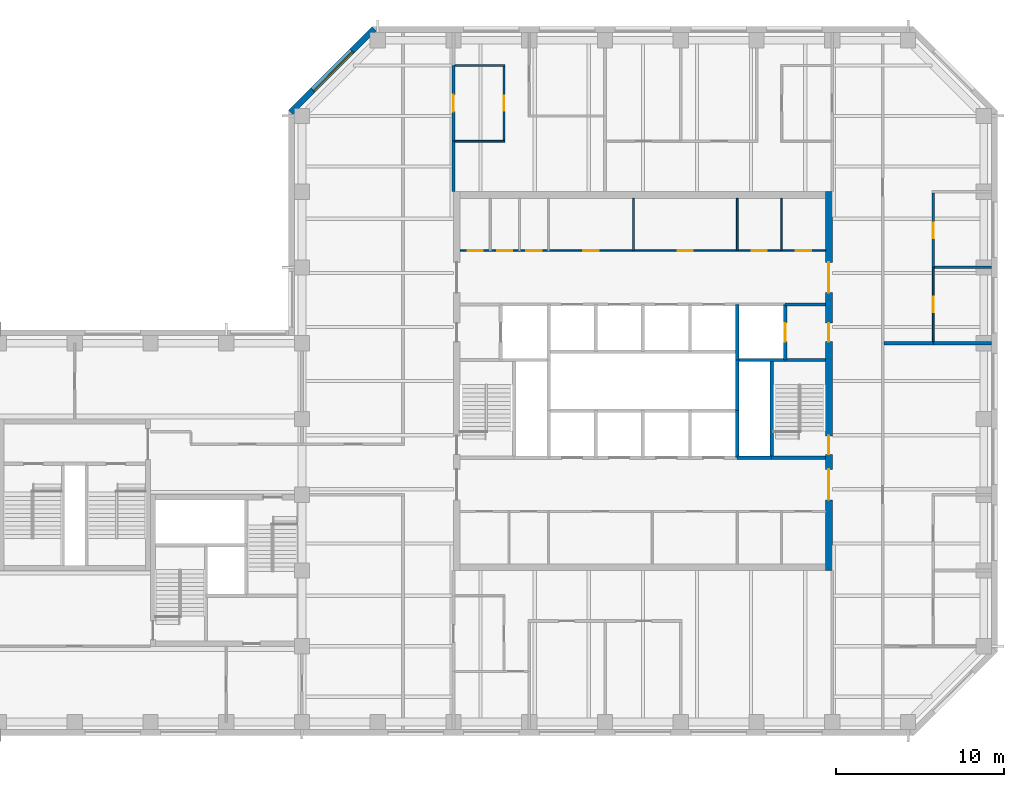
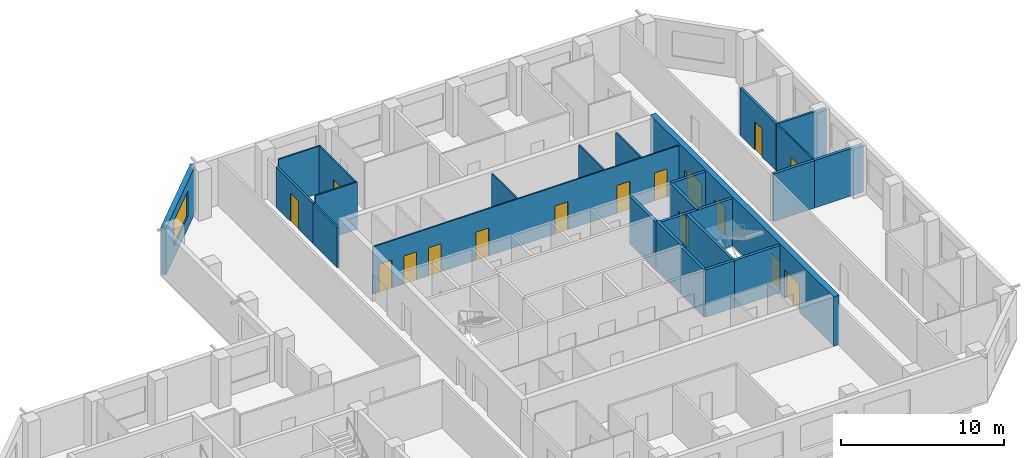
# One storey, part 6 of 9: 25 walls, 16 doors, 1 window, 17 openings.
"""IFC4 building model written with IfcOpenShell, lengths in metres."""

from ifc_helpers import new_model, si_unit, direction, frame, frame_2d, origin, place, context, subcontext, project, spatial, rectangle, extrude, material, layer, layer_set, constituent, constituent_set, type_object, element, fill, save


model = new_model("IFC4")

# Units and contexts
model_context = context("Model", 3, precision=1e-05, world=origin(), true_north=direction((0.0, 1.0)))
body_context = subcontext(model_context, "Body", "Model", "MODEL_VIEW")
ifc_project = project(units=[si_unit("LENGTHUNIT", "METRE"), si_unit("AREAUNIT", "SQUARE_METRE"), si_unit("VOLUMEUNIT", "CUBIC_METRE"), si_unit("PLANEANGLEUNIT", "RADIAN"), si_unit("MASSUNIT", "GRAM", prefix="KILO")], contexts=[model_context])

# Site, building, storey
site_placement = place(None, origin())
site = spatial("IfcSite", under=ifc_project, at=site_placement, CompositionType="ELEMENT")
building_placement = place(site_placement, origin())
building = spatial("IfcBuilding", under=site, at=building_placement, Name="Quoin Convention Tower", CompositionType="ELEMENT")
storey_placement = place(building_placement, frame((0.0, 0.0, 245.199951171875)))
storey = spatial("IfcBuildingStorey", under=building, at=storey_placement, Name="L64", CompositionType="ELEMENT", Elevation=245.199951171875)

# Wall
ifc_material_1 = material(Name="Plasterboard")
ifc_layer_1 = layer(ifc_material_1, 0.012451171875, Name="Finish")
ifc_material_2 = material(Name="Steel stud framing", Category="steel")
ifc_layer_2 = layer(ifc_material_2, 0.125, Name="Structure")
ifc_layer_3 = layer(ifc_material_1, 0.012451171875, Name="Finish")
ifc_layer_set_1 = layer_set([ifc_layer_1, ifc_layer_2, ifc_layer_3], Name="Steel stud framing")
wall_type_1 = type_object("IfcWallType", Name="Acoustic partition 150", PredefinedType="PARTITIONING", material=ifc_layer_set_1)
wall_1_placement = place(storey_placement, frame((73.574951171875, 67.5, 0.0), z_axis=(0.0, 0.0, 1.0), x_axis=(1.0, 0.0, 0.0)))
element("IfcWall", 1, at=wall_1_placement, inside=storey, type_object=wall_type_1, Name="pw-L64-023", PredefinedType="PARTITIONING", context=body_context, shape_type="SweptSolid", body=[
    extrude(rectangle(XDim=3.375, YDim=0.14990234375, at=frame_2d((1.6875, 0.0))), origin(), (0.0, 0.0, 1.0), 3.550048828125),
])

# Wall, opening, door
wall_2_placement = place(storey_placement, frame((73.5, 67.5, 0.0), z_axis=(0.0, 0.0, 1.0), x_axis=(0.0, 1.0, 0.0)))
wall_2 = element("IfcWall", 2, at=wall_2_placement, inside=storey, type_object=wall_type_1, Name="pw-L64-064", PredefinedType="PARTITIONING", context=body_context, shape_type="SweptSolid", body=[
    extrude(rectangle(XDim=4.425048828125, YDim=0.14990234375, at=frame_2d((2.21240234375, 0.0))), origin(), (0.0, 0.0, 1.0), 3.550048828125),
])
opening_1_placement = place(wall_2_placement, frame((1.75, 0.0, 0.0)))
opening_1 = element("IfcOpeningElement", 3, at=opening_1_placement, cuts=wall_2, Name="Opening DOH12-17", PredefinedType="OPENING", context=body_context, shape_type="SweptSolid", body=[
    extrude(rectangle(XDim=0.89990234375, YDim=2.10009765625, at=frame_2d((0.449951171875, 1.050048828125))), frame((0.0, 0.0849609375, 0.0), z_axis=(0.0, -1.0, 0.0), x_axis=(1.0, 0.0, 0.0)), (0.0, 0.0, 1.0), 0.169921875),
])
ifc_material_3 = material(Name="Steel door leaf", Category="steel")
door_type_1 = type_object("IfcDoorType", Name="Office door 900 x 2100", OperationType="SINGLE_SWING_RIGHT", PredefinedType="DOOR", material=ifc_material_3)
door_1_placement = place(opening_1_placement, origin())
door_1 = element("IfcDoor", 4, at=door_1_placement, inside=storey, type_object=door_type_1, Name="dr-L64-29", OperationType="SINGLE_SWING_RIGHT", OverallHeight=2.10009765625, OverallWidth=0.89990234375, PredefinedType="DOOR", context=body_context, shape_type="SweptSolid", body=[
    extrude(rectangle(XDim=0.89990234375, YDim=2.10009765625, at=frame_2d((0.449951171875, 1.050048828125))), frame((0.0, 0.02490234375, 0.0), z_axis=(0.0, -1.0, 0.0), x_axis=(1.0, 0.0, 0.0)), (0.0, 0.0, 1.0), 0.050048828125),
])
fill(opening_1, door_1)

# Wall, opening, window
ifc_material_4 = material(Name="Brick masonry", Category="masonry")
ifc_layer_4 = layer(ifc_material_4, 0.35009765625)
ifc_layer_set_2 = layer_set([ifc_layer_4], Name="Brick masonry")
wall_type_2 = type_object("IfcWallType", Name="Brick facade wall", PredefinedType="STANDARD", material=ifc_layer_set_2)
wall_3_placement = place(storey_placement, frame((40.29248046875, 81.67626953125, 0.0), z_axis=(0.0, 0.0, 1.0), x_axis=(-0.707106781187, -0.707106781187, 0.0)))
wall_3 = element("IfcWall", 5, at=wall_3_placement, inside=storey, type_object=wall_type_2, Name="fw-L64-40500_81000", PredefinedType="STANDARD", context=body_context, shape_type="SweptSolid", body=[
    extrude(rectangle(XDim=7.02685546875, YDim=0.35009765625, at=frame_2d((3.513427734375, 0.0))), origin(), (0.0, 0.0, 1.0), 3.525146484375),
])
opening_2_placement = place(wall_3_placement, frame((1.86328125, 0.0, 0.89990234375)))
opening_2 = element("IfcOpeningElement", 6, at=opening_2_placement, cuts=wall_3, Name="Opening W-02", PredefinedType="OPENING", context=body_context, shape_type="SweptSolid", body=[
    extrude(rectangle(XDim=3.300048828125, YDim=1.89990234375, at=frame_2d((1.64990234375, 0.949951171875))), frame((0.0, 0.18505859375, 0.0), z_axis=(0.0, -1.0, 0.0), x_axis=(1.0, 0.0, 0.0)), (0.0, 0.0, 1.0), 0.3701171875),
])
ifc_material_5 = material(Name="Aluminium", Category="aluminium")
ifc_constituent_1 = constituent(ifc_material_5, Name="Frame")
ifc_material_6 = material(Name="Insulated glass", Category="glass")
ifc_constituent_2 = constituent(ifc_material_6, Name="Glazing")
ifc_constituent_set = constituent_set(constituents=[ifc_constituent_1, ifc_constituent_2], Name="Aluminium")
window_type = type_object("IfcWindowType", Name="Office window", PartitioningType="DOUBLE_PANEL_VERTICAL", PredefinedType="WINDOW", material=ifc_constituent_set)
window_placement = place(opening_2_placement, origin())
window = element("IfcWindow", 7, at=window_placement, inside=storey, type_object=window_type, Name="win-L64-37808_79192", OverallHeight=1.89990234375, OverallWidth=3.300048828125, PartitioningType="SINGLE_PANEL", PredefinedType="WINDOW", context=body_context, shape_type="SweptSolid", body=[
    extrude(rectangle(XDim=3.300048828125, YDim=1.89990234375, at=frame_2d((1.64990234375, 0.949951171875))), frame((0.0, 0.0849609375, 0.0), z_axis=(0.0, -1.0, 0.0), x_axis=(1.0, 0.0, 0.0)), (0.0, 0.0, 1.0), 0.06005859375),
])
fill(opening_2, window)

# Wall, openings, doors
ifc_layer_5 = layer(ifc_material_1, 0.012451171875, Name="Finish")
ifc_layer_6 = layer(ifc_material_2, 0.074951171875, Name="Structure")
ifc_layer_7 = layer(ifc_material_1, 0.012451171875, Name="Finish")
ifc_layer_set_3 = layer_set([ifc_layer_5, ifc_layer_6, ifc_layer_7], Name="Steel stud framing")
wall_type_3 = type_object("IfcWallType", Name="Core partition wall", PredefinedType="PARTITIONING", material=ifc_layer_set_3)
wall_4_placement = place(storey_placement, frame((45.39990234375, 68.5, 0.0), z_axis=(0.0, 0.0, 1.0), x_axis=(1.0, 0.0, 0.0)))
wall_4 = element("IfcWall", 8, at=wall_4_placement, inside=storey, type_object=wall_type_3, Name="cr-C1-L64-h19000_400", PredefinedType="PARTITIONING", context=body_context, shape_type="SweptSolid", body=[
    extrude(rectangle(XDim=21.7001953125, YDim=0.10009765625, at=frame_2d((10.85009765625, 0.0))), origin(), (0.0, 0.0, 1.0), 3.550048828125),
])
opening_3_placement = place(wall_4_placement, frame((19.9375, 0.0, 0.0)))
opening_3 = element("IfcOpeningElement", 9, at=opening_3_placement, cuts=wall_4, Name="Opening DCV4-14", PredefinedType="OPENING", context=body_context, shape_type="SweptSolid", body=[
    extrude(rectangle(XDim=0.89990234375, YDim=2.10009765625, at=frame_2d((0.449951171875, 1.050048828125))), frame((0.0, 0.06005859375, 0.0), z_axis=(0.0, -1.0, 0.0), x_axis=(1.0, 0.0, 0.0)), (0.0, 0.0, 1.0), 0.1201171875),
])
opening_4_placement = place(wall_4_placement, frame((17.3125, 0.0, 0.0)))
opening_4 = element("IfcOpeningElement", 10, at=opening_4_placement, cuts=wall_4, Name="Opening DCV4-13", PredefinedType="OPENING", context=body_context, shape_type="SweptSolid", body=[
    extrude(rectangle(XDim=0.89990234375, YDim=2.10009765625, at=frame_2d((0.449951171875, 1.050048828125))), frame((0.0, 0.06005859375, 0.0), z_axis=(0.0, -1.0, 0.0), x_axis=(1.0, 0.0, 0.0)), (0.0, 0.0, 1.0), 0.1201171875),
])
opening_5_placement = place(wall_4_placement, frame((0.4423828125, 0.0, 0.0)))
opening_5 = element("IfcOpeningElement", 11, at=opening_5_placement, cuts=wall_4, Name="Opening DCV4-05", PredefinedType="OPENING", context=body_context, shape_type="SweptSolid", body=[
    extrude(rectangle(XDim=0.89990234375, YDim=2.10009765625, at=frame_2d((0.449951171875, 1.050048828125))), frame((0.0, 0.06005859375, 0.0), z_axis=(0.0, -1.0, 0.0), x_axis=(1.0, 0.0, 0.0)), (0.0, 0.0, 1.0), 0.1201171875),
])
opening_6_placement = place(wall_4_placement, frame((2.201416015625, 0.0, 0.0)))
opening_6 = element("IfcOpeningElement", 12, at=opening_6_placement, cuts=wall_4, Name="Opening DCV4-06", PredefinedType="OPENING", context=body_context, shape_type="SweptSolid", body=[
    extrude(rectangle(XDim=0.89990234375, YDim=2.10009765625, at=frame_2d((0.449951171875, 1.050048828125))), frame((0.0, 0.06005859375, 0.0), z_axis=(0.0, -1.0, 0.0), x_axis=(1.0, 0.0, 0.0)), (0.0, 0.0, 1.0), 0.1201171875),
])
opening_7_placement = place(wall_4_placement, frame((3.93359375, 0.0, 0.0)))
opening_7 = element("IfcOpeningElement", 13, at=opening_7_placement, cuts=wall_4, Name="Opening DCV4-07", PredefinedType="OPENING", context=body_context, shape_type="SweptSolid", body=[
    extrude(rectangle(XDim=0.89990234375, YDim=2.10009765625, at=frame_2d((0.449951171875, 1.050048828125))), frame((0.0, 0.06005859375, 0.0), z_axis=(0.0, -1.0, 0.0), x_axis=(1.0, 0.0, 0.0)), (0.0, 0.0, 1.0), 0.1201171875),
])
opening_8_placement = place(wall_4_placement, frame((12.919921875, 0.0, 0.0)))
opening_8 = element("IfcOpeningElement", 14, at=opening_8_placement, cuts=wall_4, Name="Opening DCV4-11", PredefinedType="OPENING", context=body_context, shape_type="SweptSolid", body=[
    extrude(rectangle(XDim=0.89990234375, YDim=2.10009765625, at=frame_2d((0.449951171875, 1.050048828125))), frame((0.0, 0.06005859375, 0.0), z_axis=(0.0, -1.0, 0.0), x_axis=(1.0, 0.0, 0.0)), (0.0, 0.0, 1.0), 0.1201171875),
])
opening_9_placement = place(wall_4_placement, frame((7.320068359375, 0.0, 0.0)))
opening_9 = element("IfcOpeningElement", 15, at=opening_9_placement, cuts=wall_4, Name="Opening DCV4-08", PredefinedType="OPENING", context=body_context, shape_type="SweptSolid", body=[
    extrude(rectangle(XDim=0.89990234375, YDim=2.10009765625, at=frame_2d((0.449951171875, 1.050048828125))), frame((0.0, 0.06005859375, 0.0), z_axis=(0.0, -1.0, 0.0), x_axis=(1.0, 0.0, 0.0)), (0.0, 0.0, 1.0), 0.1201171875),
])
door_type_2 = type_object("IfcDoorType", Name="Core room door 900 x 2100", OperationType="SINGLE_SWING_LEFT", PredefinedType="DOOR", material=ifc_material_3)
door_2_placement = place(opening_3_placement, origin())
door_2 = element("IfcDoor", 16, at=door_2_placement, inside=storey, type_object=door_type_2, Name="cd-C1-L64-CNE0-lobB-CD6407", OperationType="SINGLE_SWING_RIGHT", OverallHeight=2.10009765625, OverallWidth=0.89990234375, PredefinedType="DOOR", context=body_context, shape_type="SweptSolid", body=[
    extrude(rectangle(XDim=0.89990234375, YDim=2.10009765625, at=frame_2d((0.449951171875, 1.050048828125))), frame((0.0, 0.02490234375, 0.0), z_axis=(0.0, -1.0, 0.0), x_axis=(1.0, 0.0, 0.0)), (0.0, 0.0, 1.0), 0.050048828125),
])
fill(opening_3, door_2)
door_3_placement = place(opening_4_placement, origin())
door_3 = element("IfcDoor", 17, at=door_3_placement, inside=storey, type_object=door_type_2, Name="cd-C1-L64-CNE1-lobB-CD6408", OperationType="SINGLE_SWING_RIGHT", OverallHeight=2.10009765625, OverallWidth=0.89990234375, PredefinedType="DOOR", context=body_context, shape_type="SweptSolid", body=[
    extrude(rectangle(XDim=0.89990234375, YDim=2.10009765625, at=frame_2d((0.449951171875, 1.050048828125))), frame((0.0, 0.02490234375, 0.0), z_axis=(0.0, -1.0, 0.0), x_axis=(1.0, 0.0, 0.0)), (0.0, 0.0, 1.0), 0.050048828125),
])
fill(opening_4, door_3)
door_4_placement = place(opening_5_placement, origin())
door_4 = element("IfcDoor", 18, at=door_4_placement, inside=storey, type_object=door_type_2, Name="cd-C1-L64-CNW0-lobB-CD6409", OperationType="SINGLE_SWING_RIGHT", OverallHeight=2.10009765625, OverallWidth=0.89990234375, PredefinedType="DOOR", context=body_context, shape_type="SweptSolid", body=[
    extrude(rectangle(XDim=0.89990234375, YDim=2.10009765625, at=frame_2d((0.449951171875, 1.050048828125))), frame((0.0, 0.02490234375, 0.0), z_axis=(0.0, -1.0, 0.0), x_axis=(1.0, 0.0, 0.0)), (0.0, 0.0, 1.0), 0.050048828125),
])
fill(opening_5, door_4)
door_5_placement = place(opening_6_placement, origin())
door_5 = element("IfcDoor", 19, at=door_5_placement, inside=storey, type_object=door_type_2, Name="cd-C1-L64-CNW1-lobB-CD6410", OperationType="SINGLE_SWING_RIGHT", OverallHeight=2.10009765625, OverallWidth=0.89990234375, PredefinedType="DOOR", context=body_context, shape_type="SweptSolid", body=[
    extrude(rectangle(XDim=0.89990234375, YDim=2.10009765625, at=frame_2d((0.449951171875, 1.050048828125))), frame((0.0, 0.02490234375, 0.0), z_axis=(0.0, -1.0, 0.0), x_axis=(1.0, 0.0, 0.0)), (0.0, 0.0, 1.0), 0.050048828125),
])
fill(opening_6, door_5)
door_6_placement = place(opening_7_placement, origin())
door_6 = element("IfcDoor", 20, at=door_6_placement, inside=storey, type_object=door_type_2, Name="cd-C1-L64-CNW2-lobB-CD6411", OperationType="SINGLE_SWING_RIGHT", OverallHeight=2.10009765625, OverallWidth=0.89990234375, PredefinedType="DOOR", context=body_context, shape_type="SweptSolid", body=[
    extrude(rectangle(XDim=0.89990234375, YDim=2.10009765625, at=frame_2d((0.449951171875, 1.050048828125))), frame((0.0, 0.02490234375, 0.0), z_axis=(0.0, -1.0, 0.0), x_axis=(1.0, 0.0, 0.0)), (0.0, 0.0, 1.0), 0.050048828125),
])
fill(opening_7, door_6)
door_7_placement = place(opening_8_placement, origin())
door_7 = element("IfcDoor", 21, at=door_7_placement, inside=storey, type_object=door_type_2, Name="cd-C1-L64-F40-lobB-CD6418", OperationType="SINGLE_SWING_RIGHT", OverallHeight=2.10009765625, OverallWidth=0.89990234375, PredefinedType="DOOR", context=body_context, shape_type="SweptSolid", body=[
    extrude(rectangle(XDim=0.89990234375, YDim=2.10009765625, at=frame_2d((0.449951171875, 1.050048828125))), frame((0.0, 0.02490234375, 0.0), z_axis=(0.0, -1.0, 0.0), x_axis=(1.0, 0.0, 0.0)), (0.0, 0.0, 1.0), 0.050048828125),
])
fill(opening_8, door_7)
door_8_placement = place(opening_9_placement, origin())
door_8 = element("IfcDoor", 22, at=door_8_placement, inside=storey, type_object=door_type_2, Name="cd-C1-L64-F41-lobB-CD6419", OperationType="SINGLE_SWING_RIGHT", OverallHeight=2.10009765625, OverallWidth=0.89990234375, PredefinedType="DOOR", context=body_context, shape_type="SweptSolid", body=[
    extrude(rectangle(XDim=0.89990234375, YDim=2.10009765625, at=frame_2d((0.449951171875, 1.050048828125))), frame((0.0, 0.02490234375, 0.0), z_axis=(0.0, -1.0, 0.0), x_axis=(1.0, 0.0, 0.0)), (0.0, 0.0, 1.0), 0.050048828125),
])
fill(opening_9, door_8)

# Walls
for number, where, z_axis, x_axis, name in (
    (23, (55.68994140625, 68.5, 0.0), (0.0, 0.0, 1.0), (0.0, 1.0, 0.0), "cr-C1-L64-v10690_19000"),
    (24, (61.85009765625, 68.5, 0.0), (0.0, 0.0, 1.0), (0.0, 1.0, 0.0), "cr-C1-L64-v16850_19000"),
    (25, (64.47509765625, 68.5, 0.0), (0.0, 0.0, 1.0), (0.0, 1.0, 0.0), "cr-C1-L64-v19475_19000"),
):
    element("IfcWall", number, at=place(storey_placement, frame(where, z_axis=z_axis, x_axis=x_axis)), inside=storey, type_object=wall_type_3, Name=name, PredefinedType="PARTITIONING", context=body_context, shape_type="SweptSolid", body=[
        extrude(rectangle(XDim=3.10009765625, YDim=0.10009765625, at=frame_2d((1.550048828125, 0.0))), origin(), (0.0, 0.0, 1.0), 3.550048828125),
    ])
ifc_material_7 = material(Name="Concrete C50", Category="concrete")
ifc_layer_8 = layer(ifc_material_7, 0.199951171875)
ifc_layer_set_4 = layer_set([ifc_layer_8], Name="Concrete C50")
wall_type_4 = type_object("IfcWallType", Name="Core shaft wall", PredefinedType="SOLIDWALL", material=ifc_layer_set_4)
wall_5_placement = place(storey_placement, frame((61.85009765625, 56.199951171875, 0.0), z_axis=(0.0, 0.0, 1.0), x_axis=(1.0, 0.0, 0.0)))
element("IfcWall", 26, at=wall_5_placement, inside=storey, type_object=wall_type_4, Name="cr-C1-L64-h6700_16850", PredefinedType="SOLIDWALL", context=body_context, shape_type="SweptSolid", body=[
    extrude(rectangle(XDim=2.0498046875, YDim=0.199951171875, at=frame_2d((1.02490234375, 0.0))), origin(), (0.0, 0.0, 1.0), 3.550048828125),
])
wall_6_placement = place(storey_placement, frame((63.89990234375, 56.199951171875, 0.0), z_axis=(0.0, 0.0, 1.0), x_axis=(1.0, 0.0, 0.0)))
element("IfcWall", 27, at=wall_6_placement, inside=storey, type_object=wall_type_4, Name="cr-C1-L64-h6700_18900", PredefinedType="SOLIDWALL", context=body_context, shape_type="SweptSolid", body=[
    extrude(rectangle(XDim=3.2001953125, YDim=0.199951171875, at=frame_2d((1.60009765625, 0.0))), origin(), (0.0, 0.0, 1.0), 3.550048828125),
])
wall_7_placement = place(storey_placement, frame((61.85009765625, 62.0, 0.0), z_axis=(0.0, 0.0, 1.0), x_axis=(1.0, 0.0, 0.0)))
element("IfcWall", 28, at=wall_7_placement, inside=storey, type_object=wall_type_4, Name="cr-C1-L64-h12500_16850", PredefinedType="SOLIDWALL", context=body_context, shape_type="SweptSolid", body=[
    extrude(rectangle(XDim=5.25, YDim=0.199951171875, at=frame_2d((2.625, 0.0))), origin(), (0.0, 0.0, 1.0), 3.550048828125),
])
wall_8_placement = place(storey_placement, frame((64.699951171875, 65.300048828125, 0.0), z_axis=(0.0, 0.0, 1.0), x_axis=(1.0, 0.0, 0.0)))
element("IfcWall", 29, at=wall_8_placement, inside=storey, type_object=wall_type_4, Name="cr-C1-L64-h15800_19700", PredefinedType="SOLIDWALL", context=body_context, shape_type="SweptSolid", body=[
    extrude(rectangle(XDim=2.400146484375, YDim=0.199951171875, at=frame_2d((1.2001953125, 0.0))), origin(), (0.0, 0.0, 1.0), 3.550048828125),
])
wall_9_placement = place(storey_placement, frame((61.85009765625, 56.199951171875, 0.0), z_axis=(0.0, 0.0, 1.0), x_axis=(0.0, 1.0, 0.0)))
element("IfcWall", 30, at=wall_9_placement, inside=storey, type_object=wall_type_4, Name="cr-C1-L64-v16850_6700", PredefinedType="SOLIDWALL", context=body_context, shape_type="SweptSolid", body=[
    extrude(rectangle(XDim=2.800048828125, YDim=0.199951171875, at=frame_2d((1.39990234375, 0.0))), origin(), (0.0, 0.0, 1.0), 3.550048828125),
])
wall_10_placement = place(storey_placement, frame((61.85009765625, 62.0, 0.0), z_axis=(0.0, 0.0, 1.0), x_axis=(0.0, 1.0, 0.0)))
element("IfcWall", 31, at=wall_10_placement, inside=storey, type_object=wall_type_4, Name="cr-C1-L64-v16850_12500", PredefinedType="SOLIDWALL", context=body_context, shape_type="SweptSolid", body=[
    extrude(rectangle(XDim=3.300048828125, YDim=0.199951171875, at=frame_2d((1.64990234375, 0.0))), origin(), (0.0, 0.0, 1.0), 3.550048828125),
])
wall_11_placement = place(storey_placement, frame((63.89990234375, 56.199951171875, 0.0), z_axis=(0.0, 0.0, 1.0), x_axis=(0.0, 1.0, 0.0)))
element("IfcWall", 32, at=wall_11_placement, inside=storey, type_object=wall_type_4, Name="cr-C1-L64-v18900_6700", PredefinedType="SOLIDWALL", context=body_context, shape_type="SweptSolid", body=[
    extrude(rectangle(XDim=5.800048828125, YDim=0.199951171875, at=frame_2d((2.89990234375, 0.0))), origin(), (0.0, 0.0, 1.0), 3.550048828125),
])

# Wall, opening, door
wall_12_placement = place(storey_placement, frame((64.699951171875, 62.0, 0.0), z_axis=(0.0, 0.0, 1.0), x_axis=(0.0, 1.0, 0.0)))
wall_12 = element("IfcWall", 33, at=wall_12_placement, inside=storey, type_object=wall_type_4, Name="cr-C1-L64-v19700_12500", PredefinedType="SOLIDWALL", context=body_context, shape_type="SweptSolid", body=[
    extrude(rectangle(XDim=3.300048828125, YDim=0.199951171875, at=frame_2d((1.64990234375, 0.0))), origin(), (0.0, 0.0, 1.0), 3.550048828125),
])
opening_10_placement = place(wall_12_placement, frame((1.10009765625, 0.0, 0.0)))
opening_10 = element("IfcOpeningElement", 34, at=opening_10_placement, cuts=wall_12, Name="Opening LDFL2", PredefinedType="OPENING", context=body_context, shape_type="SweptSolid", body=[
    extrude(rectangle(XDim=1.10009765625, YDim=2.10009765625, at=frame_2d((0.550048828125, 1.050048828125))), frame((0.0, 0.10986328125, 0.0), z_axis=(0.0, -1.0, 0.0), x_axis=(1.0, 0.0, 0.0)), (0.0, 0.0, 1.0), 0.219970703125),
])
door_type_3 = type_object("IfcDoorType", Name="Lift landing door 1100 x 2100", OperationType="DOUBLE_DOOR_SLIDING", PredefinedType="DOOR", material=ifc_material_3)
door_9_placement = place(opening_10_placement, origin())
door_9 = element("IfcDoor", 35, at=door_9_placement, inside=storey, type_object=door_type_3, Name="cd-C1-L64-FLE-FFE-LDFL2", OperationType="DOUBLE_DOOR_SLIDING", OverallHeight=2.10009765625, OverallWidth=1.10009765625, PredefinedType="DOOR", context=body_context, shape_type="SweptSolid", body=[
    extrude(rectangle(XDim=1.10009765625, YDim=2.10009765625, at=frame_2d((0.550048828125, 1.050048828125))), frame((0.0, 0.02490234375, 0.0), z_axis=(0.0, -1.0, 0.0), x_axis=(1.0, 0.0, 0.0)), (0.0, 0.0, 1.0), 0.050048828125),
])
fill(opening_10, door_9)

# Walls
ifc_layer_9 = layer(ifc_material_7, 0.199951171875)
ifc_layer_set_5 = layer_set([ifc_layer_9], Name="Concrete C50")
wall_type_5 = type_object("IfcWallType", Name="Core shaft wall to the floor level over", PredefinedType="SOLIDWALL", material=ifc_layer_set_5)
wall_13_placement = place(storey_placement, frame((61.85009765625, 59.0, 0.0), z_axis=(0.0, 0.0, 1.0), x_axis=(0.0, 1.0, 0.0)))
element("IfcWall", 36, at=wall_13_placement, inside=storey, type_object=wall_type_5, Name="cr-C1-L64-v16850_9500", PredefinedType="SOLIDWALL", context=body_context, shape_type="SweptSolid", body=[
    extrude(rectangle(XDim=3.0, YDim=0.199951171875, at=frame_2d((1.5, 0.0))), origin(), (0.0, 0.0, 1.0), 3.699951171875),
])
ifc_layer_10 = layer(ifc_material_1, 0.012451171875, Name="Finish")
ifc_layer_11 = layer(ifc_material_2, 0.125, Name="Structure")
ifc_layer_12 = layer(ifc_material_1, 0.012451171875, Name="Finish")
ifc_layer_set_6 = layer_set([ifc_layer_10, ifc_layer_11, ifc_layer_12], Name="Steel stud framing")
wall_type_6 = type_object("IfcWallType", Name="Corridor wall 150 under beam 528", PredefinedType="PARTITIONING", material=ifc_layer_set_6)
wall_14_placement = place(storey_placement, frame((45.0, 72.0, 0.0), z_axis=(0.0, 0.0, 1.0), x_axis=(0.0, 1.0, 0.0)))
element("IfcWall", 37, at=wall_14_placement, inside=storey, type_object=wall_type_6, Name="pw-L64-065", PredefinedType="PARTITIONING", context=body_context, shape_type="SweptSolid", body=[
    extrude(rectangle(XDim=3.0, YDim=0.14990234375, at=frame_2d((1.5, 0.0))), origin(), (0.0, 0.0, 1.0), 3.02197265625),
])

# Wall, opening, door
wall_15_placement = place(storey_placement, frame((45.0, 75.0, 0.0), z_axis=(0.0, 0.0, 1.0), x_axis=(0.0, 1.0, 0.0)))
wall_15 = element("IfcWall", 38, at=wall_15_placement, inside=storey, type_object=wall_type_6, Name="pw-L64-068", PredefinedType="PARTITIONING", context=body_context, shape_type="SweptSolid", body=[
    extrude(rectangle(XDim=4.5, YDim=0.14990234375, at=frame_2d((2.25, 0.0))), origin(), (0.0, 0.0, 1.0), 3.02197265625),
])
opening_11_placement = place(wall_15_placement, frame((1.75, 0.0, 0.0)))
opening_11 = element("IfcOpeningElement", 39, at=opening_11_placement, cuts=wall_15, Name="Opening DOH12-18", PredefinedType="OPENING", context=body_context, shape_type="SweptSolid", body=[
    extrude(rectangle(XDim=1.0, YDim=2.10009765625, at=frame_2d((0.5, 1.050048828125))), frame((0.0, 0.0849609375, 0.0), z_axis=(0.0, -1.0, 0.0), x_axis=(1.0, 0.0, 0.0)), (0.0, 0.0, 1.0), 0.169921875),
])
door_type_4 = type_object("IfcDoorType", Name="Tenancy entrance door 1000 x 2100", OperationType="DOUBLE_DOOR_SINGLE_SWING", PredefinedType="DOOR", material=ifc_material_3)
door_10_placement = place(opening_11_placement, origin())
door_10 = element("IfcDoor", 40, at=door_10_placement, inside=storey, type_object=door_type_4, Name="dr-L64-16", OperationType="DOUBLE_DOOR_SINGLE_SWING", OverallHeight=2.10009765625, OverallWidth=1.0, PredefinedType="DOOR", context=body_context, shape_type="SweptSolid", body=[
    extrude(rectangle(XDim=1.0, YDim=2.10009765625, at=frame_2d((0.5, 1.050048828125))), frame((0.0, 0.02490234375, 0.0), z_axis=(0.0, -1.0, 0.0), x_axis=(1.0, 0.0, 0.0)), (0.0, 0.0, 1.0), 0.050048828125),
])
fill(opening_11, door_10)

# Wall, openings, doors
ifc_layer_13 = layer(ifc_material_7, 0.39990234375)
ifc_layer_set_7 = layer_set([ifc_layer_13], Name="Concrete C50")
wall_type_7 = type_object("IfcWallType", Name="RC CORE WALL 400 C50", PredefinedType="SHEAR", material=ifc_layer_set_7)
wall_16_placement = place(storey_placement, frame((67.300048828125, 49.5, 0.0), z_axis=(0.0, 0.0, 1.0), x_axis=(0.0, 1.0, 0.0)))
wall_16 = element("IfcWall", 41, at=wall_16_placement, inside=storey, type_object=wall_type_7, Name="cwl-C1-L64-E", PredefinedType="SHEAR", context=body_context, shape_type="SweptSolid", body=[
    extrude(rectangle(XDim=22.5, YDim=0.39990234375, at=frame_2d((11.25, 0.0))), origin(), (0.0, 0.0, 1.0), 3.699951171875),
])
opening_12_placement = place(wall_16_placement, frame((4.199951171875, 0.0, 0.0)))
opening_12 = element("IfcOpeningElement", 42, at=opening_12_placement, cuts=wall_16, Name="Opening DCV4-39", PredefinedType="OPENING", context=body_context, shape_type="SweptSolid", body=[
    extrude(rectangle(XDim=1.800048828125, YDim=2.10009765625, at=frame_2d((0.89990234375, 1.050048828125))), frame((0.0, 0.2099609375, 0.0), z_axis=(0.0, -1.0, 0.0), x_axis=(1.0, 0.0, 0.0)), (0.0, 0.0, 1.0), 0.419921875),
])
opening_13_placement = place(wall_16_placement, frame((6.89990234375, 0.0, 0.0)))
opening_13 = element("IfcOpeningElement", 43, at=opening_13_placement, cuts=wall_16, Name="Opening SD2", PredefinedType="OPENING", context=body_context, shape_type="SweptSolid", body=[
    extrude(rectangle(XDim=1.10009765625, YDim=2.10009765625, at=frame_2d((0.550048828125, 1.050048828125))), frame((0.0, 0.2099609375, 0.0), z_axis=(0.0, -1.0, 0.0), x_axis=(1.0, 0.0, 0.0)), (0.0, 0.0, 1.0), 0.419921875),
])
opening_14_placement = place(wall_16_placement, frame((13.60009765625, 0.0, 0.0)))
opening_14 = element("IfcOpeningElement", 44, at=opening_14_placement, cuts=wall_16, Name="Opening DCV4-38", PredefinedType="OPENING", context=body_context, shape_type="SweptSolid", body=[
    extrude(rectangle(XDim=1.10009765625, YDim=2.10009765625, at=frame_2d((0.550048828125, 1.050048828125))), frame((0.0, 0.2099609375, 0.0), z_axis=(0.0, -1.0, 0.0), x_axis=(1.0, 0.0, 0.0)), (0.0, 0.0, 1.0), 0.419921875),
])
opening_15_placement = place(wall_16_placement, frame((16.5, 0.0, 0.0)))
opening_15 = element("IfcOpeningElement", 45, at=opening_15_placement, cuts=wall_16, Name="Opening DCV4-39", PredefinedType="OPENING", context=body_context, shape_type="SweptSolid", body=[
    extrude(rectangle(XDim=1.800048828125, YDim=2.10009765625, at=frame_2d((0.89990234375, 1.050048828125))), frame((0.0, 0.2099609375, 0.0), z_axis=(0.0, -1.0, 0.0), x_axis=(1.0, 0.0, 0.0)), (0.0, 0.0, 1.0), 0.419921875),
])
door_type_5 = type_object("IfcDoorType", Name="Fire-fighting lobby door 1100 x 2100", OperationType="SINGLE_SWING_LEFT", PredefinedType="DOOR", material=ifc_material_3)
door_11_placement = place(opening_14_placement, origin())
door_11 = element("IfcDoor", 46, at=door_11_placement, inside=storey, type_object=door_type_5, Name="cd-C1-L64-FFE-E", OperationType="SINGLE_SWING_RIGHT", OverallHeight=2.10009765625, OverallWidth=1.10009765625, PredefinedType="DOOR", context=body_context, shape_type="SweptSolid", body=[
    extrude(rectangle(XDim=1.10009765625, YDim=2.10009765625, at=frame_2d((0.550048828125, 1.050048828125))), frame((0.0, 0.02490234375, 0.0), z_axis=(0.0, -1.0, 0.0), x_axis=(1.0, 0.0, 0.0)), (0.0, 0.0, 1.0), 0.050048828125),
])
fill(opening_14, door_11)
door_type_6 = type_object("IfcDoorType", Name="Lift lobby door 1800 x 2100", OperationType="SINGLE_SWING_LEFT", PredefinedType="DOOR", material=ifc_material_3)
door_12_placement = place(opening_12_placement, origin())
door_12 = element("IfcDoor", 47, at=door_12_placement, inside=storey, type_object=door_type_6, Name="cd-C1-L64-lobA-E", OperationType="SINGLE_SWING_RIGHT", OverallHeight=2.10009765625, OverallWidth=1.800048828125, PredefinedType="DOOR", context=body_context, shape_type="SweptSolid", body=[
    extrude(rectangle(XDim=1.800048828125, YDim=2.10009765625, at=frame_2d((0.89990234375, 1.050048828125))), frame((0.0, 0.02490234375, 0.0), z_axis=(0.0, -1.0, 0.0), x_axis=(1.0, 0.0, 0.0)), (0.0, 0.0, 1.0), 0.050048828125),
])
fill(opening_12, door_12)
door_13_placement = place(opening_15_placement, origin())
door_13 = element("IfcDoor", 48, at=door_13_placement, inside=storey, type_object=door_type_6, Name="cd-C1-L64-lobB-E", OperationType="SINGLE_SWING_RIGHT", OverallHeight=2.10009765625, OverallWidth=1.800048828125, PredefinedType="DOOR", context=body_context, shape_type="SweptSolid", body=[
    extrude(rectangle(XDim=1.800048828125, YDim=2.10009765625, at=frame_2d((0.89990234375, 1.050048828125))), frame((0.0, 0.02490234375, 0.0), z_axis=(0.0, -1.0, 0.0), x_axis=(1.0, 0.0, 0.0)), (0.0, 0.0, 1.0), 0.050048828125),
])
fill(opening_15, door_13)
door_type_7 = type_object("IfcDoorType", Name="Stair door 1100 x 2100", OperationType="SINGLE_SWING_RIGHT", PredefinedType="DOOR", material=ifc_material_3)
door_14_placement = place(opening_13_placement, origin())
door_14 = element("IfcDoor", 49, at=door_14_placement, inside=storey, type_object=door_type_7, Name="cd-C1-L64-STE-E", OperationType="SINGLE_SWING_LEFT", OverallHeight=2.10009765625, OverallWidth=1.10009765625, PredefinedType="DOOR", context=body_context, shape_type="SweptSolid", body=[
    extrude(rectangle(XDim=1.10009765625, YDim=2.10009765625, at=frame_2d((0.550048828125, 1.050048828125))), frame((0.0, 0.02490234375, 0.0), z_axis=(0.0, -1.0, 0.0), x_axis=(1.0, 0.0, 0.0)), (0.0, 0.0, 1.0), 0.050048828125),
])
fill(opening_13, door_14)

# Walls
ifc_layer_14 = layer(ifc_material_1, 0.012451171875, Name="Finish")
ifc_layer_15 = layer(ifc_material_2, 0.074951171875, Name="Structure")
ifc_layer_16 = layer(ifc_material_1, 0.012451171875, Name="Finish")
ifc_layer_set_8 = layer_set([ifc_layer_14, ifc_layer_15, ifc_layer_16], Name="Steel stud framing")
wall_type_8 = type_object("IfcWallType", Name="Stud partition 100", PredefinedType="PARTITIONING", material=ifc_layer_set_8)
for number, where, z_axis, x_axis, name in (
    (50, (45.074951171875, 75.0, 0.0), (0.0, 0.0, 1.0), (1.0, 0.0, 0.0), "pw-L64-025"),
    (51, (45.074951171875, 79.5, 0.0), (0.0, 0.0, 1.0), (1.0, 0.0, 0.0), "pw-L64-030"),
):
    element("IfcWall", number, at=place(storey_placement, frame(where, z_axis=z_axis, x_axis=x_axis)), inside=storey, type_object=wall_type_8, Name=name, PredefinedType="PARTITIONING", context=body_context, shape_type="SweptSolid", body=[
        extrude(rectangle(XDim=2.97509765625, YDim=0.10009765625, at=frame_2d((1.487548828125, 0.0))), origin(), (0.0, 0.0, 1.0), 3.550048828125),
    ])

# Wall, opening, door
wall_17_placement = place(storey_placement, frame((73.5, 63.10009765625, 0.0), z_axis=(0.0, 0.0, 1.0), x_axis=(0.0, 1.0, 0.0)))
wall_17 = element("IfcWall", 52, at=wall_17_placement, inside=storey, type_object=wall_type_8, Name="pw-L64-063", PredefinedType="PARTITIONING", context=body_context, shape_type="SweptSolid", body=[
    extrude(rectangle(XDim=4.39990234375, YDim=0.10009765625, at=frame_2d((2.199951171875, 0.0))), origin(), (0.0, 0.0, 1.0), 3.550048828125),
])
opening_16_placement = place(wall_17_placement, frame((1.75, 0.0, 0.0)))
opening_16 = element("IfcOpeningElement", 53, at=opening_16_placement, cuts=wall_17, Name="Opening DOH12-16", PredefinedType="OPENING", context=body_context, shape_type="SweptSolid", body=[
    extrude(rectangle(XDim=0.89990234375, YDim=2.10009765625, at=frame_2d((0.449951171875, 1.050048828125))), frame((0.0, 0.06005859375, 0.0), z_axis=(0.0, -1.0, 0.0), x_axis=(1.0, 0.0, 0.0)), (0.0, 0.0, 1.0), 0.1201171875),
])
door_15_placement = place(opening_16_placement, origin())
door_15 = element("IfcDoor", 54, at=door_15_placement, inside=storey, type_object=door_type_1, Name="dr-L64-28", OperationType="SINGLE_SWING_RIGHT", OverallHeight=2.10009765625, OverallWidth=0.89990234375, PredefinedType="DOOR", context=body_context, shape_type="SweptSolid", body=[
    extrude(rectangle(XDim=0.89990234375, YDim=2.10009765625, at=frame_2d((0.449951171875, 1.050048828125))), frame((0.0, 0.02490234375, 0.0), z_axis=(0.0, -1.0, 0.0), x_axis=(1.0, 0.0, 0.0)), (0.0, 0.0, 1.0), 0.050048828125),
])
fill(opening_16, door_15)

wall_18_placement = place(storey_placement, frame((48.0, 75.050048828125, 0.0), z_axis=(0.0, 0.0, 1.0), x_axis=(0.0, 1.0, 0.0)))
wall_18 = element("IfcWall", 55, at=wall_18_placement, inside=storey, type_object=wall_type_8, Name="pw-L64-071", PredefinedType="PARTITIONING", context=body_context, shape_type="SweptSolid", body=[
    extrude(rectangle(XDim=4.39990234375, YDim=0.10009765625, at=frame_2d((2.199951171875, 0.0))), origin(), (0.0, 0.0, 1.0), 3.550048828125),
])
opening_17_placement = place(wall_18_placement, frame((1.75, 0.0, 0.0)))
opening_17 = element("IfcOpeningElement", 56, at=opening_17_placement, cuts=wall_18, Name="Opening DOH12-20", PredefinedType="OPENING", context=body_context, shape_type="SweptSolid", body=[
    extrude(rectangle(XDim=0.89990234375, YDim=2.10009765625, at=frame_2d((0.449951171875, 1.050048828125))), frame((0.0, 0.06005859375, 0.0), z_axis=(0.0, -1.0, 0.0), x_axis=(1.0, 0.0, 0.0)), (0.0, 0.0, 1.0), 0.1201171875),
])
door_16_placement = place(opening_17_placement, frame((0.89990234375, 0.0, 0.0), z_axis=(0.0, 0.0, 1.0), x_axis=(-1.0, 0.0, 0.0)))
door_16 = element("IfcDoor", 57, at=door_16_placement, inside=storey, type_object=door_type_1, Name="dr-L64-17", OperationType="SINGLE_SWING_LEFT", OverallHeight=2.10009765625, OverallWidth=0.89990234375, PredefinedType="DOOR", context=body_context, shape_type="SweptSolid", body=[
    extrude(rectangle(XDim=0.89990234375, YDim=2.10009765625, at=frame_2d((0.449951171875, 1.050048828125))), frame((0.0, 0.02490234375, 0.0), z_axis=(0.0, -1.0, 0.0), x_axis=(1.0, 0.0, 0.0)), (0.0, 0.0, 1.0), 0.050048828125),
])
fill(opening_17, door_16)

# Walls
ifc_layer_17 = layer(ifc_material_1, 0.012451171875, Name="Finish")
ifc_layer_18 = layer(ifc_material_2, 0.175048828125, Name="Structure")
ifc_layer_19 = layer(ifc_material_1, 0.012451171875, Name="Finish")
ifc_layer_set_9 = layer_set([ifc_layer_17, ifc_layer_18, ifc_layer_19], Name="Steel stud framing")
wall_type_9 = type_object("IfcWallType", Name="Tenancy demising wall 200", PredefinedType="PARTITIONING", material=ifc_layer_set_9)
wall_19_placement = place(storey_placement, frame((70.574951171875, 63.0, 0.0), z_axis=(0.0, 0.0, 1.0), x_axis=(1.0, 0.0, 0.0)))
element("IfcWall", 58, at=wall_19_placement, inside=storey, type_object=wall_type_9, Name="pw-L64-021", PredefinedType="PARTITIONING", context=body_context, shape_type="SweptSolid", body=[
    extrude(rectangle(XDim=2.925048828125, YDim=0.199951171875, at=frame_2d((1.46240234375, 0.0))), origin(), (0.0, 0.0, 1.0), 3.550048828125),
])
wall_20_placement = place(storey_placement, frame((73.5, 63.0, 0.0), z_axis=(0.0, 0.0, 1.0), x_axis=(1.0, 0.0, 0.0)))
element("IfcWall", 59, at=wall_20_placement, inside=storey, type_object=wall_type_9, Name="pw-L64-022", PredefinedType="PARTITIONING", context=body_context, shape_type="SweptSolid", body=[
    extrude(rectangle(XDim=3.449951171875, YDim=0.199951171875, at=frame_2d((1.72509765625, 0.0))), origin(), (0.0, 0.0, 1.0), 3.550048828125),
])

save(model, "model.ifc")
